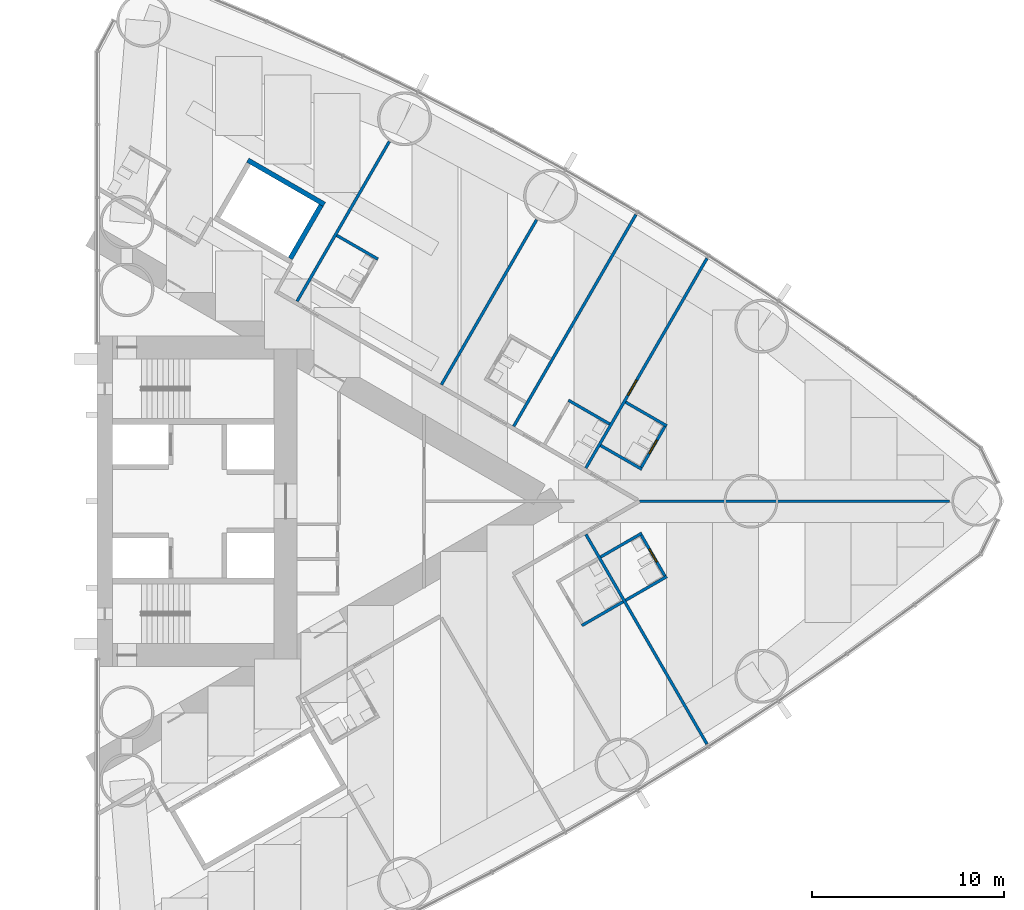
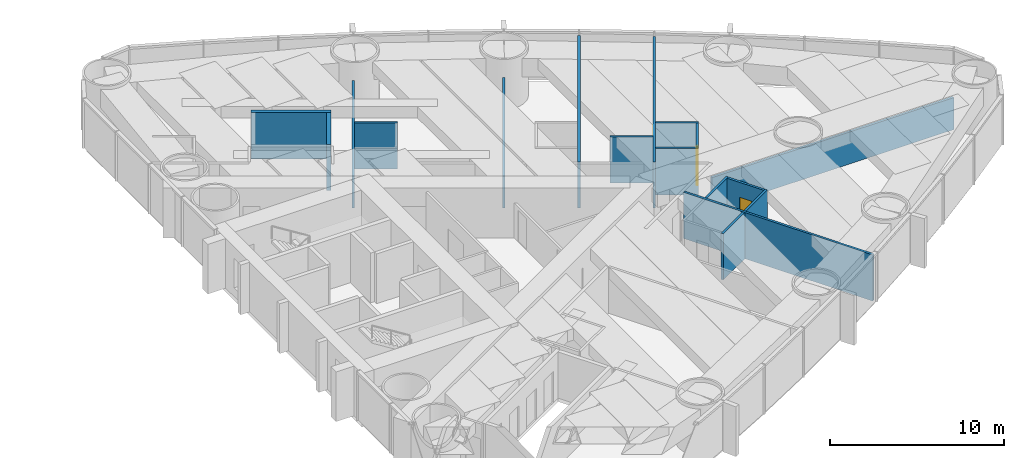
# One storey, part 16 of 19: 17 walls, 3 doors, 3 openings.
"""IFC4 building model written with IfcOpenShell, lengths in metres."""

from ifc_helpers import new_model, si_unit, direction, frame, frame_2d, origin, place, context, subcontext, project, spatial, rectangle, extrude, material, layer, layer_set, type_object, element, fill, save


model = new_model("IFC4")

# Units and contexts
model_context = context("Model", 3, precision=1e-05, world=origin(), true_north=direction((0.0, 1.0)))
body_context = subcontext(model_context, "Body", "Model", "MODEL_VIEW")
ifc_project = project(units=[si_unit("LENGTHUNIT", "METRE"), si_unit("AREAUNIT", "SQUARE_METRE"), si_unit("VOLUMEUNIT", "CUBIC_METRE"), si_unit("PLANEANGLEUNIT", "RADIAN"), si_unit("MASSUNIT", "GRAM", prefix="KILO")], contexts=[model_context])

# Site, building, storey
site_placement = place(None, origin())
site = spatial("IfcSite", under=ifc_project, at=site_placement, CompositionType="ELEMENT")
building_placement = place(site_placement, origin())
building = spatial("IfcBuilding", under=site, at=building_placement, Name="Lancet Gate Hotel", CompositionType="ELEMENT")
storey_placement = place(building_placement, frame((0.0, 0.0, 25.0)))
storey = spatial("IfcBuildingStorey", under=building, at=storey_placement, Name="L05", CompositionType="ELEMENT", Elevation=25.0)

# Walls
ifc_material_1 = material(Name="Moisture resistant board partition")
ifc_layer_1 = layer(ifc_material_1, 0.14990234375)
ifc_layer_set_1 = layer_set([ifc_layer_1], Name="Bathroom wall 150")
wall_type_1 = type_object("IfcWallType", Name="Bathroom wall 150", PredefinedType="PARTITIONING", material=ifc_layer_set_1)
for number, where, z_axis, x_axis, name in (
    (1, (52.706298828125, -6.4638671875, 0.0), (0.0, 0.0, 1.0), (0.86604923931, 0.499958713387, 0.0), "T2 bathroom wall 150 L05"),
    (2, (54.979736328125, -5.1513671875, 0.0), (0.0, 0.0, 1.0), (0.86604923931, 0.499958713387, 0.0), "T2 bathroom wall 150 L05"),
):
    element("IfcWall", number, at=place(storey_placement, frame(where, z_axis=z_axis, x_axis=x_axis)), inside=storey, type_object=wall_type_1, Name=name, PredefinedType="PARTITIONING", context=body_context, shape_type="SweptSolid", body=[
        extrude(rectangle(XDim=2.474853515625, YDim=0.14990234375, at=frame_2d((1.2373046875, 0.0))), origin(), (0.0, 0.0, 1.0), 3.25),
    ])

# Wall, opening, door
wall_1_placement = place(storey_placement, frame((55.758056640625, -1.69970703125, 0.0), z_axis=(0.0, 0.0, 1.0), x_axis=(0.500006934395, -0.866021400173, 0.0)))
wall_1 = element("IfcWall", 3, at=wall_1_placement, inside=storey, type_object=wall_type_1, Name="T2 bathroom wall 150 L05", PredefinedType="PARTITIONING", context=body_context, shape_type="SweptSolid", body=[
    extrude(rectangle(XDim=2.60009765625, YDim=0.14990234375, at=frame_2d((1.300048828125, 0.0))), origin(), (0.0, 0.0, 1.0), 3.25),
])
opening_1_placement = place(wall_1_placement, frame((0.89990234375, 0.0, 0.0)))
opening_1 = element("IfcOpeningElement", 4, at=opening_1_placement, cuts=wall_1, Name="Opening 0557-B", PredefinedType="OPENING", context=body_context, shape_type="SweptSolid", body=[
    extrude(rectangle(XDim=0.800048828125, YDim=2.199951171875, at=frame_2d((0.39990234375, 1.10009765625))), frame((0.0, 0.0849609375, 0.0), z_axis=(0.0, -1.0, 0.0), x_axis=(1.0, 0.0, 0.0)), (0.0, 0.0, 1.0), 0.169921875),
])
ifc_material_2 = material(Name="Timber door set", Category="wood")
door_type_1 = type_object("IfcDoorType", Name="Bathroom door 800", OperationType="SINGLE_SWING_RIGHT", PredefinedType="DOOR", material=ifc_material_2)
door_1_placement = place(opening_1_placement, origin())
door_1 = element("IfcDoor", 5, at=door_1_placement, inside=storey, type_object=door_type_1, Name="0557-B", OperationType="SINGLE_SWING_RIGHT", OverallHeight=2.199951171875, OverallWidth=0.800048828125, PredefinedType="DOOR", context=body_context, shape_type="SweptSolid", body=[
    extrude(rectangle(XDim=0.800048828125, YDim=2.199951171875, at=frame_2d((0.39990234375, 1.10009765625))), frame((0.0, 0.02490234375, 0.0), z_axis=(0.0, -1.0, 0.0), x_axis=(1.0, 0.0, 0.0)), (0.0, 0.0, 1.0), 0.050048828125),
])
fill(opening_1, door_1)

# Walls
for number, where, z_axis, x_axis, name in (
    (6, (53.6796875, -2.89990234375, 0.0), (0.0, 0.0, 1.0), (0.866006523861, 0.500032699561, 0.0), "T2 bathroom wall 150 L05"),
    (7, (54.979736328125, 5.1513671875, 0.0), (0.0, 0.0, 1.0), (0.86604923931, -0.499958713387, 0.0), "T2 bathroom wall 150 L05"),
):
    element("IfcWall", number, at=place(storey_placement, frame(where, z_axis=z_axis, x_axis=x_axis)), inside=storey, type_object=wall_type_1, Name=name, PredefinedType="PARTITIONING", context=body_context, shape_type="SweptSolid", body=[
        extrude(rectangle(XDim=2.474853515625, YDim=0.14990234375, at=frame_2d((1.2373046875, 0.0))), origin(), (0.0, 0.0, 1.0), 3.25),
    ])

# Wall, opening, door
wall_2_placement = place(storey_placement, frame((55.758056640625, 1.69970703125, 0.0), z_axis=(0.0, 0.0, 1.0), x_axis=(0.500006934395, 0.866021400173, 0.0)))
wall_2 = element("IfcWall", 8, at=wall_2_placement, inside=storey, type_object=wall_type_1, Name="T2 bathroom wall 150 L05", PredefinedType="PARTITIONING", context=body_context, shape_type="SweptSolid", body=[
    extrude(rectangle(XDim=2.60009765625, YDim=0.14990234375, at=frame_2d((1.300048828125, 0.0))), origin(), (0.0, 0.0, 1.0), 3.25),
])
opening_2_placement = place(wall_2_placement, frame((0.89990234375, 0.0, 0.0)))
opening_2 = element("IfcOpeningElement", 9, at=opening_2_placement, cuts=wall_2, Name="Opening 0558-B", PredefinedType="OPENING", context=body_context, shape_type="SweptSolid", body=[
    extrude(rectangle(XDim=0.800048828125, YDim=2.199951171875, at=frame_2d((0.39990234375, 1.10009765625))), frame((0.0, 0.0849609375, 0.0), z_axis=(0.0, -1.0, 0.0), x_axis=(1.0, 0.0, 0.0)), (0.0, 0.0, 1.0), 0.169921875),
])
door_2_placement = place(opening_2_placement, origin())
door_2 = element("IfcDoor", 10, at=door_2_placement, inside=storey, type_object=door_type_1, Name="0558-B", OperationType="SINGLE_SWING_RIGHT", OverallHeight=2.199951171875, OverallWidth=0.800048828125, PredefinedType="DOOR", context=body_context, shape_type="SweptSolid", body=[
    extrude(rectangle(XDim=0.800048828125, YDim=2.199951171875, at=frame_2d((0.39990234375, 1.10009765625))), frame((0.0, 0.02490234375, 0.0), z_axis=(0.0, -1.0, 0.0), x_axis=(1.0, 0.0, 0.0)), (0.0, 0.0, 1.0), 0.050048828125),
])
fill(opening_2, door_2)

# Walls
for number, where, z_axis, x_axis, name in (
    (11, (53.6796875, 2.89990234375, 0.0), (0.0, 0.0, 1.0), (0.866006523861, -0.500032699561, 0.0), "T2 bathroom wall 150 L05"),
    (12, (52.00634765625, 5.25146484375, 0.0), (0.0, 0.0, 1.0), (0.866006523861, -0.500032699561, 0.0), "T2 bathroom wall 150 L05"),
    (13, (39.960205078125, 13.822998046875, 0.0), (0.0, 0.0, 1.0), (0.866006523861, -0.500032699561, 0.0), "T2 bathroom wall 150 L05"),
):
    element("IfcWall", number, at=place(storey_placement, frame(where, z_axis=z_axis, x_axis=x_axis)), inside=storey, type_object=wall_type_1, Name=name, PredefinedType="PARTITIONING", context=body_context, shape_type="SweptSolid", body=[
        extrude(rectangle(XDim=2.474853515625, YDim=0.14990234375, at=frame_2d((1.2373046875, 0.0))), origin(), (0.0, 0.0, 1.0), 3.25),
    ])
ifc_material_3 = material(Name="Gypsum board partition")
ifc_layer_2 = layer(ifc_material_3, 0.25)
ifc_layer_set_2 = layer_set([ifc_layer_2], Name="Lift shaft partition 250")
wall_type_2 = type_object("IfcWallType", Name="Lift shaft partition 250", PredefinedType="PARTITIONING", material=ifc_layer_set_2)
wall_3_placement = place(storey_placement, frame((35.33349609375, 17.73583984375, 0.0), z_axis=(0.0, 0.0, 1.0), x_axis=(0.866043305498, -0.49996899204, 0.0)))
element("IfcWall", 14, at=wall_3_placement, inside=storey, type_object=wall_type_2, Name="T2 lift shaft wall EX L05", PredefinedType="PARTITIONING", context=body_context, shape_type="SweptSolid", body=[
    extrude(rectangle(XDim=4.600341796875, YDim=0.25, at=frame_2d((2.30029296875, 0.0))), origin(), (0.0, 0.0, 1.0), 3.25),
])
wall_4_placement = place(storey_placement, frame((37.546630859375, 12.617919921875, 0.0), z_axis=(0.0, 0.0, 1.0), x_axis=(0.499929347863, 0.866066190972, 0.0)))
element("IfcWall", 15, at=wall_4_placement, inside=storey, type_object=wall_type_2, Name="T2 lift shaft wall EX L05", PredefinedType="PARTITIONING", context=body_context, shape_type="SweptSolid", body=[
    extrude(rectangle(XDim=3.20068359375, YDim=0.25, at=frame_2d((1.600341796875, 0.0))), origin(), (0.0, 0.0, 1.0), 3.25),
])
ifc_material_4 = material(Name="Gypsum board partition")
ifc_layer_3 = layer(ifc_material_4, 0.14990234375)
ifc_layer_set_3 = layer_set([ifc_layer_3], Name="Party wall 150")
wall_type_3 = type_object("IfcWallType", Name="Party wall 150", PredefinedType="PARTITIONING", material=ifc_layer_set_3)
wall_5_placement = place(storey_placement, frame((52.914794921875, -1.724853515625, 0.0), z_axis=(0.0, 0.0, 1.0), x_axis=(0.499997163113, -0.866027041656, 0.0)))
element("IfcWall", 16, at=wall_5_placement, inside=storey, type_object=wall_type_3, Name="T2 party wall 150 L05", PredefinedType="PARTITIONING", context=body_context, shape_type="SweptSolid", body=[
    extrude(rectangle(XDim=12.5908203125, YDim=0.14990234375, at=frame_2d((6.29541015625, 0.0))), origin(), (0.0, 0.0, 1.0), 3.25),
])
wall_6_placement = place(storey_placement, frame((37.895263671875, 10.396484375, 0.0), z_axis=(0.0, 0.0, 1.0), x_axis=(0.499995616528, 0.866027934568, 0.0)))
element("IfcWall", 17, at=wall_6_placement, inside=storey, type_object=wall_type_3, Name="T2 party wall 150 L05", PredefinedType="PARTITIONING", context=body_context, shape_type="SweptSolid", body=[
    extrude(rectangle(XDim=9.59326171875, YDim=0.14990234375, at=frame_2d((4.796630859375, 0.0))), origin(), (0.0, 0.0, 1.0), 2.25),
])
wall_7_placement = place(storey_placement, frame((45.40283203125, 6.061767578125, 0.0), z_axis=(0.0, 0.0, 1.0), x_axis=(0.500013434677, 0.866017647131, 0.0)))
element("IfcWall", 18, at=wall_7_placement, inside=storey, type_object=wall_type_3, Name="T2 party wall 150 L05", PredefinedType="PARTITIONING", context=body_context, shape_type="SweptSolid", body=[
    extrude(rectangle(XDim=9.901611328125, YDim=0.14990234375, at=frame_2d((4.95068359375, 0.0))), origin(), (0.0, 0.0, 1.0), 2.25),
])
wall_8_placement = place(storey_placement, frame((49.159423828125, 3.892822265625, 0.0), z_axis=(0.0, 0.0, 1.0), x_axis=(0.499995664361, 0.866027906952, 0.0)))
element("IfcWall", 19, at=wall_8_placement, inside=storey, type_object=wall_type_3, Name="T2 party wall 150 L05", PredefinedType="PARTITIONING", context=body_context, shape_type="SweptSolid", body=[
    extrude(rectangle(XDim=12.71142578125, YDim=0.14990234375, at=frame_2d((6.355712890625, 0.0))), origin(), (0.0, 0.0, 1.0), 3.25),
])

# Wall, opening, door
wall_9_placement = place(storey_placement, frame((52.914794921875, 1.724853515625, 0.0), z_axis=(0.0, 0.0, 1.0), x_axis=(0.499997163113, 0.866027041656, 0.0)))
wall_9 = element("IfcWall", 20, at=wall_9_placement, inside=storey, type_object=wall_type_3, Name="T2 party wall 150 L05", PredefinedType="PARTITIONING", context=body_context, shape_type="SweptSolid", body=[
    extrude(rectangle(XDim=12.5908203125, YDim=0.14990234375, at=frame_2d((6.29541015625, 0.0))), origin(), (0.0, 0.0, 1.0), 3.25),
])
opening_3_placement = place(wall_9_placement, frame((4.375, 0.0, 0.0)))
opening_3 = element("IfcOpeningElement", 21, at=opening_3_placement, cuts=wall_9, Name="Opening 0558C", PredefinedType="OPENING", context=body_context, shape_type="SweptSolid", body=[
    extrude(rectangle(XDim=0.89990234375, YDim=2.199951171875, at=frame_2d((0.449951171875, 1.10009765625))), frame((0.0, 0.0849609375, 0.0), z_axis=(0.0, -1.0, 0.0), x_axis=(1.0, 0.0, 0.0)), (0.0, 0.0, 1.0), 0.169921875),
])
ifc_material_5 = material(Name="Timber door set", Category="wood")
door_type_2 = type_object("IfcDoorType", Name="Connecting door 900", OperationType="SINGLE_SWING_LEFT", PredefinedType="DOOR", material=ifc_material_5)
door_3_placement = place(opening_3_placement, origin())
door_3 = element("IfcDoor", 22, at=door_3_placement, inside=storey, type_object=door_type_2, Name="0558C", OperationType="SINGLE_SWING_LEFT", OverallHeight=2.199951171875, OverallWidth=0.89990234375, PredefinedType="DOOR", context=body_context, shape_type="SweptSolid", body=[
    extrude(rectangle(XDim=0.89990234375, YDim=2.199951171875, at=frame_2d((0.449951171875, 1.10009765625))), frame((0.0, 0.02490234375, 0.0), z_axis=(0.0, -1.0, 0.0), x_axis=(1.0, 0.0, 0.0)), (0.0, 0.0, 1.0), 0.050048828125),
])
fill(opening_3, door_3)

# Wall
wall_10_placement = place(storey_placement, frame((55.7021484375, 0.0, 0.0), z_axis=(0.0, 0.0, 1.0), x_axis=(1.0, 0.0, 0.0)))
element("IfcWall", 23, at=wall_10_placement, inside=storey, type_object=wall_type_3, Name="T2 party wall 150 L05", PredefinedType="PARTITIONING", context=body_context, shape_type="SweptSolid", body=[
    extrude(rectangle(XDim=16.116943359375, YDim=0.14990234375, at=frame_2d((8.05859375, 0.0))), origin(), (0.0, 0.0, 1.0), 2.25),
])

save(model, "model.ifc")
